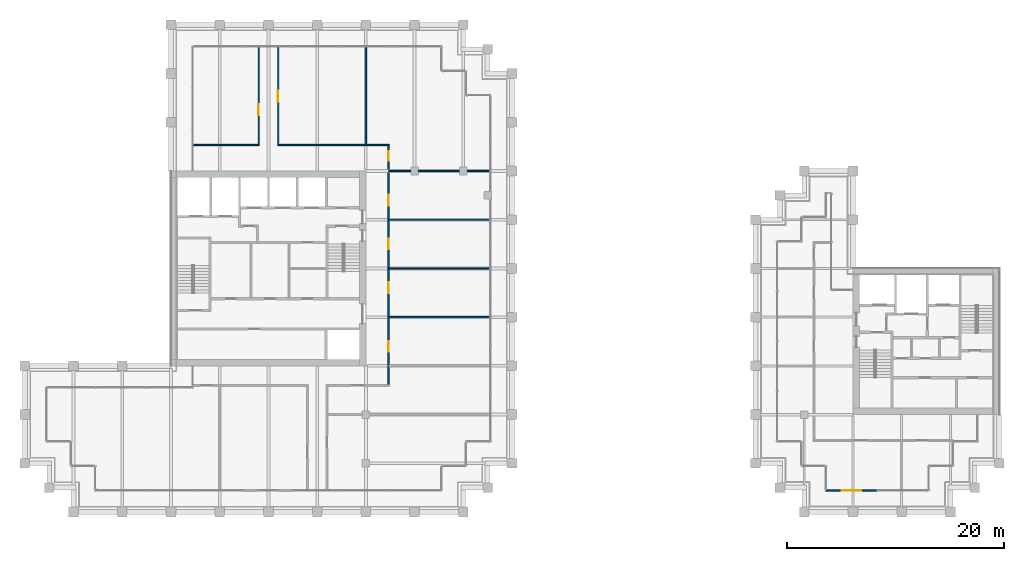
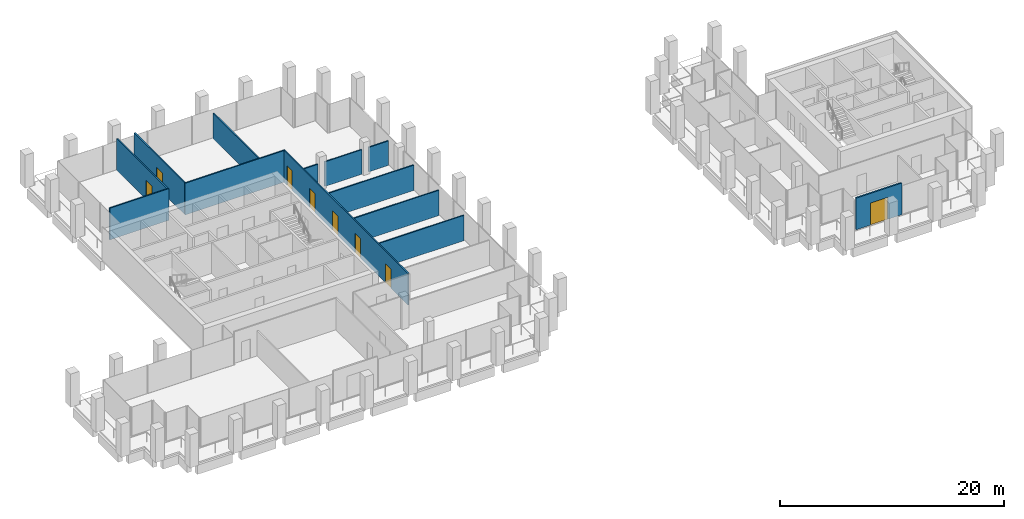
# One storey, part 37 of 40: 13 walls, 8 doors, 8 openings.
"""IFC4 building model written with IfcOpenShell, lengths in metres."""

from ifc_helpers import new_model, si_unit, direction, frame, frame_2d, origin, place, context, subcontext, project, spatial, rectangle, extrude, material, layer, layer_set, type_object, element, fill, save


model = new_model("IFC4")

# Units and contexts
model_context = context("Model", 3, precision=1e-05, world=origin(), true_north=direction((0.0, 1.0)))
body_context = subcontext(model_context, "Body", "Model", "MODEL_VIEW")
ifc_project = project(units=[si_unit("LENGTHUNIT", "METRE"), si_unit("AREAUNIT", "SQUARE_METRE"), si_unit("VOLUMEUNIT", "CUBIC_METRE"), si_unit("PLANEANGLEUNIT", "RADIAN"), si_unit("MASSUNIT", "GRAM", prefix="KILO")], contexts=[model_context])

# Site, building, storey
site_placement = place(None, origin())
site = spatial("IfcSite", under=ifc_project, at=site_placement, CompositionType="ELEMENT")
building_placement = place(site_placement, origin())
building = spatial("IfcBuilding", under=site, at=building_placement, Name="Altepetl Exchange Towers", CompositionType="ELEMENT")
storey_placement = place(building_placement, frame((0.0, 0.0, 147.39990234375)))
storey = spatial("IfcBuildingStorey", under=building, at=storey_placement, Name="L36", CompositionType="ELEMENT", Elevation=147.39990234375)

# Wall, opening, door
ifc_material_1 = material(Name="Aluminium composite cladding", Category="aluminium")
ifc_layer_1 = layer(ifc_material_1, 0.14990234375)
ifc_layer_set_1 = layer_set([ifc_layer_1], Name="Aluminium composite cladding")
wall_type_1 = type_object("IfcWallType", Name="Infill wall 150 aluminium panel", PredefinedType="SOLIDWALL", material=ifc_layer_set_1)
wall_1_placement = place(storey_placement, frame((101.0, 29.0, 0.0)))
wall_1 = element("IfcWall", 1, at=wall_1_placement, inside=storey, type_object=wall_type_1, Name="Loggia door bay wall", PredefinedType="SOLIDWALL", context=body_context, shape_type="SweptSolid", body=[
    extrude(rectangle(XDim=4.71240234375, YDim=0.14990234375, at=frame_2d((2.356201171875, 0.0))), origin(), (0.0, 0.0, 1.0), 3.4501953125),
])
opening_1_placement = place(wall_1_placement, frame((1.456298828125, 0.0, 0.0)))
opening_1 = element("IfcOpeningElement", 2, at=opening_1_placement, cuts=wall_1, Name="Opening L36.B90", PredefinedType="OPENING", context=body_context, shape_type="SweptSolid", body=[
    extrude(rectangle(XDim=1.800048828125, YDim=2.39990234375, at=frame_2d((0.89990234375, 1.199951171875))), frame((0.0, 0.0849609375, 0.0), z_axis=(0.0, -1.0, 0.0), x_axis=(1.0, 0.0, 0.0)), (0.0, 0.0, 1.0), 0.169921875),
])
ifc_material_2 = material(Name="Aluminium 6063-T6 and glass", Category="aluminium")
door_type_1 = type_object("IfcDoorType", Name="Glazed door pair 1800x2400", OperationType="DOUBLE_DOOR_DOUBLE_SWING", PredefinedType="NOTDEFINED", material=ifc_material_2)
door_1_placement = place(opening_1_placement, frame((1.800048828125, 0.0, 0.0), x_axis=(-1.0, 0.0, 0.0)))
door_1 = element("IfcDoor", 3, at=door_1_placement, inside=storey, type_object=door_type_1, Name="Loggia door", OperationType="DOUBLE_DOOR_DOUBLE_SWING", OverallHeight=2.39990234375, OverallWidth=1.800048828125, PredefinedType="NOTDEFINED", context=body_context, shape_type="SweptSolid", body=[
    extrude(rectangle(XDim=1.800048828125, YDim=2.39990234375, at=frame_2d((0.89990234375, 1.199951171875))), frame((0.0, 0.02490234375, 0.0), z_axis=(0.0, -1.0, 0.0), x_axis=(1.0, 0.0, 0.0)), (0.0, 0.0, 1.0), 0.050048828125),
])
fill(opening_1, door_1)

# Walls
ifc_material_3 = material(Name="Timber panels on aluminium track", Category="wood")
ifc_layer_2 = layer(ifc_material_3, 0.125)
ifc_layer_set_2 = layer_set([ifc_layer_2], Name="Timber panels on aluminium track")
wall_type_2 = type_object("IfcWallType", Name="Operable acoustic partition 125", PredefinedType="MOVABLE", material=ifc_layer_set_2)
for number, where, name in (
    (4, (60.60009765625, 45.0, 0.0), "wall:A:L36:P06"),
    (5, (60.60009765625, 49.5, 0.0), "wall:A:L36:P07"),
    (6, (60.60009765625, 54.0, 0.0), "wall:A:L36:P08"),
):
    element("IfcWall", number, at=place(storey_placement, frame(where)), inside=storey, type_object=wall_type_2, Name=name, PredefinedType="MOVABLE", context=body_context, shape_type="SweptSolid", body=[
        extrude(rectangle(XDim=9.2998046875, YDim=0.125, at=frame_2d((4.64990234375, 0.0))), origin(), (0.0, 0.0, 1.0), 2.76611328125),
    ])
ifc_material_4 = material(Name="Gypsum board on steel studs", Category="steel")
ifc_layer_3 = layer(ifc_material_4, 0.125)
ifc_layer_set_3 = layer_set([ifc_layer_3], Name="Gypsum board on steel studs")
wall_type_3 = type_object("IfcWallType", Name="Partition 125 gypsum board on steel studs", PredefinedType="PARTITIONING", material=ifc_layer_set_3)
wall_2_placement = place(storey_placement, frame((60.60009765625, 58.5, 0.0)))
element("IfcWall", 7, at=wall_2_placement, inside=storey, type_object=wall_type_3, Name="wall:A:L36:P09", PredefinedType="PARTITIONING", context=body_context, shape_type="SweptSolid", body=[
    extrude(rectangle(XDim=2.0498046875, YDim=0.125, at=frame_2d((1.02490234375, 0.0))), origin(), (0.0, 0.0, 1.0), 2.676025390625),
])
wall_3_placement = place(storey_placement, frame((63.35009765625, 58.5, 0.0)))
element("IfcWall", 8, at=wall_3_placement, inside=storey, type_object=wall_type_3, Name="wall:A:L36:P10", PredefinedType="PARTITIONING", context=body_context, shape_type="SweptSolid", body=[
    extrude(rectangle(XDim=3.7998046875, YDim=0.125, at=frame_2d((1.89990234375, 0.0))), origin(), (0.0, 0.0, 1.0), 2.676025390625),
])
wall_4_placement = place(storey_placement, frame((67.85009765625, 58.5, 0.0)))
element("IfcWall", 9, at=wall_4_placement, inside=storey, type_object=wall_type_3, Name="wall:A:L36:P11", PredefinedType="PARTITIONING", context=body_context, shape_type="SweptSolid", body=[
    extrude(rectangle(XDim=2.0498046875, YDim=0.125, at=frame_2d((1.02490234375, 0.0))), origin(), (0.0, 0.0, 1.0), 2.676025390625),
])
wall_5_placement = place(storey_placement, frame((42.60009765625, 60.89990234375, 0.0)))
element("IfcWall", 10, at=wall_5_placement, inside=storey, type_object=wall_type_3, Name="wall:A:L36:P12", PredefinedType="PARTITIONING", context=body_context, shape_type="SweptSolid", body=[
    extrude(rectangle(XDim=6.0625, YDim=0.125, at=frame_2d((3.03125, 0.0))), origin(), (0.0, 0.0, 1.0), 3.4501953125),
])
wall_6_placement = place(storey_placement, frame((50.33740234375, 60.89990234375, 0.0)))
element("IfcWall", 11, at=wall_6_placement, inside=storey, type_object=wall_type_3, Name="wall:A:L36:P13", PredefinedType="PARTITIONING", context=body_context, shape_type="SweptSolid", body=[
    extrude(rectangle(XDim=10.3251953125, YDim=0.125, at=frame_2d((5.16259765625, 0.0))), origin(), (0.0, 0.0, 1.0), 3.4501953125),
])

# Wall, opening, door
wall_7_placement = place(storey_placement, frame((48.60009765625, 60.96240234375, 0.0), z_axis=(0.0, 0.0, 1.0), x_axis=(0.0, 1.0, 0.0)))
wall_7 = element("IfcWall", 12, at=wall_7_placement, inside=storey, type_object=wall_type_3, Name="wall:A:L36:P15", PredefinedType="PARTITIONING", context=body_context, shape_type="SweptSolid", body=[
    extrude(rectangle(XDim=8.9375, YDim=0.125, at=frame_2d((4.46875, 0.0))), origin(), (0.0, 0.0, 1.0), 3.4501953125),
])
opening_2_placement = place(wall_7_placement, frame((2.694580078125, 0.0, 0.0)))
opening_2 = element("IfcOpeningElement", 13, at=opening_2_placement, cuts=wall_7, Name="Opening L36.A11", PredefinedType="OPENING", context=body_context, shape_type="SweptSolid", body=[
    extrude(rectangle(XDim=1.0, YDim=2.10009765625, at=frame_2d((0.5, 1.050048828125))), frame((0.0, 0.072509765625, 0.0), z_axis=(0.0, -1.0, 0.0), x_axis=(1.0, 0.0, 0.0)), (0.0, 0.0, 1.0), 0.14501953125),
])
ifc_material_5 = material(Name="Steel and timber fire door", Category="steel")
door_type_2 = type_object("IfcDoorType", Name="Fire door 1000 x 2100 single leaf", OperationType="SINGLE_SWING_LEFT", PredefinedType="DOOR", material=ifc_material_5)
door_2_placement = place(opening_2_placement, origin())
door_2 = element("IfcDoor", 14, at=door_2_placement, inside=storey, type_object=door_type_2, Name="door:A:L36:11", OperationType="SINGLE_SWING_RIGHT", OverallHeight=2.10009765625, OverallWidth=1.0, PredefinedType="DOOR", context=body_context, shape_type="SweptSolid", body=[
    extrude(rectangle(XDim=1.0, YDim=2.10009765625, at=frame_2d((0.5, 1.050048828125))), frame((0.0, 0.02490234375, 0.0), z_axis=(0.0, -1.0, 0.0), x_axis=(1.0, 0.0, 0.0)), (0.0, 0.0, 1.0), 0.050048828125),
])
fill(opening_2, door_2)

wall_8_placement = place(storey_placement, frame((50.39990234375, 60.96240234375, 0.0), z_axis=(0.0, 0.0, 1.0), x_axis=(0.0, 1.0, 0.0)))
wall_8 = element("IfcWall", 15, at=wall_8_placement, inside=storey, type_object=wall_type_3, Name="wall:A:L36:P16", PredefinedType="PARTITIONING", context=body_context, shape_type="SweptSolid", body=[
    extrude(rectangle(XDim=8.9375, YDim=0.125, at=frame_2d((4.46875, 0.0))), origin(), (0.0, 0.0, 1.0), 3.4501953125),
])
opening_3_placement = place(wall_8_placement, frame((3.9375, 0.0, 0.0)))
opening_3 = element("IfcOpeningElement", 16, at=opening_3_placement, cuts=wall_8, Name="Opening L36.A10", PredefinedType="OPENING", context=body_context, shape_type="SweptSolid", body=[
    extrude(rectangle(XDim=1.0, YDim=2.10009765625, at=frame_2d((0.5, 1.050048828125))), frame((0.0, 0.072509765625, 0.0), z_axis=(0.0, -1.0, 0.0), x_axis=(1.0, 0.0, 0.0)), (0.0, 0.0, 1.0), 0.14501953125),
])
door_3_placement = place(opening_3_placement, frame((1.0, 0.0, 0.0), x_axis=(-1.0, 0.0, 0.0)))
door_3 = element("IfcDoor", 17, at=door_3_placement, inside=storey, type_object=door_type_2, Name="door:A:L36:10", OperationType="SINGLE_SWING_RIGHT", OverallHeight=2.10009765625, OverallWidth=1.0, PredefinedType="DOOR", context=body_context, shape_type="SweptSolid", body=[
    extrude(rectangle(XDim=1.0, YDim=2.10009765625, at=frame_2d((0.5, 1.050048828125))), frame((0.0, 0.02490234375, 0.0), z_axis=(0.0, -1.0, 0.0), x_axis=(1.0, 0.0, 0.0)), (0.0, 0.0, 1.0), 0.050048828125),
])
fill(opening_3, door_3)

# Wall
wall_9_placement = place(storey_placement, frame((58.5, 60.89990234375, 0.0), z_axis=(0.0, 0.0, 1.0), x_axis=(0.0, 1.0, 0.0)))
element("IfcWall", 18, at=wall_9_placement, inside=storey, type_object=wall_type_3, Name="wall:A:L36:P19", PredefinedType="PARTITIONING", context=body_context, shape_type="SweptSolid", body=[
    extrude(rectangle(XDim=9.0, YDim=0.125, at=frame_2d((4.5, 0.0))), origin(), (0.0, 0.0, 1.0), 2.76611328125),
])

# Wall, openings, doors
wall_10_placement = place(storey_placement, frame((60.60009765625, 38.762451171875, 0.0), z_axis=(0.0, 0.0, 1.0), x_axis=(0.0, 1.0, 0.0)))
wall_10 = element("IfcWall", 19, at=wall_10_placement, inside=storey, type_object=wall_type_3, Name="wall:A:L36:P20", PredefinedType="PARTITIONING", context=body_context, shape_type="SweptSolid", body=[
    extrude(rectangle(XDim=22.074951171875, YDim=0.125, at=frame_2d((11.03759765625, 0.0))), origin(), (0.0, 0.0, 1.0), 3.4501953125),
])
opening_4_placement = place(wall_10_placement, frame((3.032470703125, 0.0, 0.0)))
opening_4 = element("IfcOpeningElement", 20, at=opening_4_placement, cuts=wall_10, Name="Opening L36.A05", PredefinedType="OPENING", context=body_context, shape_type="SweptSolid", body=[
    extrude(rectangle(XDim=1.0, YDim=2.10009765625, at=frame_2d((0.5, 1.050048828125))), frame((0.0, 0.072509765625, 0.0), z_axis=(0.0, -1.0, 0.0), x_axis=(1.0, 0.0, 0.0)), (0.0, 0.0, 1.0), 0.14501953125),
])
opening_5_placement = place(wall_10_placement, frame((8.4423828125, 0.0, 0.0)))
opening_5 = element("IfcOpeningElement", 21, at=opening_5_placement, cuts=wall_10, Name="Opening L36.A06", PredefinedType="OPENING", context=body_context, shape_type="SweptSolid", body=[
    extrude(rectangle(XDim=1.0, YDim=2.10009765625, at=frame_2d((0.5, 1.050048828125))), frame((0.0, 0.072509765625, 0.0), z_axis=(0.0, -1.0, 0.0), x_axis=(1.0, 0.0, 0.0)), (0.0, 0.0, 1.0), 0.14501953125),
])
opening_6_placement = place(wall_10_placement, frame((12.487548828125, 0.0, 0.0)))
opening_6 = element("IfcOpeningElement", 22, at=opening_6_placement, cuts=wall_10, Name="Opening L36.A07", PredefinedType="OPENING", context=body_context, shape_type="SweptSolid", body=[
    extrude(rectangle(XDim=1.0, YDim=2.10009765625, at=frame_2d((0.5, 1.050048828125))), frame((0.0, 0.072509765625, 0.0), z_axis=(0.0, -1.0, 0.0), x_axis=(1.0, 0.0, 0.0)), (0.0, 0.0, 1.0), 0.14501953125),
])
opening_7_placement = place(wall_10_placement, frame((16.532470703125, 0.0, 0.0)))
opening_7 = element("IfcOpeningElement", 23, at=opening_7_placement, cuts=wall_10, Name="Opening L36.A08", PredefinedType="OPENING", context=body_context, shape_type="SweptSolid", body=[
    extrude(rectangle(XDim=1.0, YDim=2.10009765625, at=frame_2d((0.5, 1.050048828125))), frame((0.0, 0.072509765625, 0.0), z_axis=(0.0, -1.0, 0.0), x_axis=(1.0, 0.0, 0.0)), (0.0, 0.0, 1.0), 0.14501953125),
])
opening_8_placement = place(wall_10_placement, frame((20.66259765625, 0.0, 0.0)))
opening_8 = element("IfcOpeningElement", 24, at=opening_8_placement, cuts=wall_10, Name="Opening L36.A09", PredefinedType="OPENING", context=body_context, shape_type="SweptSolid", body=[
    extrude(rectangle(XDim=0.89990234375, YDim=2.10009765625, at=frame_2d((0.449951171875, 1.050048828125))), frame((0.0, 0.072509765625, 0.0), z_axis=(0.0, -1.0, 0.0), x_axis=(1.0, 0.0, 0.0)), (0.0, 0.0, 1.0), 0.14501953125),
])
door_4_placement = place(opening_4_placement, frame((1.0, 0.0, 0.0), x_axis=(-1.0, 0.0, 0.0)))
door_4 = element("IfcDoor", 25, at=door_4_placement, inside=storey, type_object=door_type_2, Name="door:A:L36:05", OperationType="SINGLE_SWING_LEFT", OverallHeight=2.10009765625, OverallWidth=1.0, PredefinedType="DOOR", context=body_context, shape_type="SweptSolid", body=[
    extrude(rectangle(XDim=1.0, YDim=2.10009765625, at=frame_2d((0.5, 1.050048828125))), frame((0.0, 0.02490234375, 0.0), z_axis=(0.0, -1.0, 0.0), x_axis=(1.0, 0.0, 0.0)), (0.0, 0.0, 1.0), 0.050048828125),
])
fill(opening_4, door_4)
door_5_placement = place(opening_5_placement, frame((1.0, 0.0, 0.0), x_axis=(-1.0, 0.0, 0.0)))
door_5 = element("IfcDoor", 26, at=door_5_placement, inside=storey, type_object=door_type_2, Name="door:A:L36:06", OperationType="SINGLE_SWING_RIGHT", OverallHeight=2.10009765625, OverallWidth=1.0, PredefinedType="DOOR", context=body_context, shape_type="SweptSolid", body=[
    extrude(rectangle(XDim=1.0, YDim=2.10009765625, at=frame_2d((0.5, 1.050048828125))), frame((0.0, 0.02490234375, 0.0), z_axis=(0.0, -1.0, 0.0), x_axis=(1.0, 0.0, 0.0)), (0.0, 0.0, 1.0), 0.050048828125),
])
fill(opening_5, door_5)
door_6_placement = place(opening_6_placement, frame((1.0, 0.0, 0.0), x_axis=(-1.0, 0.0, 0.0)))
door_6 = element("IfcDoor", 27, at=door_6_placement, inside=storey, type_object=door_type_2, Name="door:A:L36:07", OperationType="SINGLE_SWING_LEFT", OverallHeight=2.10009765625, OverallWidth=1.0, PredefinedType="DOOR", context=body_context, shape_type="SweptSolid", body=[
    extrude(rectangle(XDim=1.0, YDim=2.10009765625, at=frame_2d((0.5, 1.050048828125))), frame((0.0, 0.02490234375, 0.0), z_axis=(0.0, -1.0, 0.0), x_axis=(1.0, 0.0, 0.0)), (0.0, 0.0, 1.0), 0.050048828125),
])
fill(opening_6, door_6)
door_7_placement = place(opening_7_placement, frame((1.0, 0.0, 0.0), x_axis=(-1.0, 0.0, 0.0)))
door_7 = element("IfcDoor", 28, at=door_7_placement, inside=storey, type_object=door_type_2, Name="door:A:L36:08", OperationType="SINGLE_SWING_RIGHT", OverallHeight=2.10009765625, OverallWidth=1.0, PredefinedType="DOOR", context=body_context, shape_type="SweptSolid", body=[
    extrude(rectangle(XDim=1.0, YDim=2.10009765625, at=frame_2d((0.5, 1.050048828125))), frame((0.0, 0.02490234375, 0.0), z_axis=(0.0, -1.0, 0.0), x_axis=(1.0, 0.0, 0.0)), (0.0, 0.0, 1.0), 0.050048828125),
])
fill(opening_7, door_7)
door_type_3 = type_object("IfcDoorType", Name="Fire door 900 x 2100 single leaf", OperationType="SINGLE_SWING_LEFT", PredefinedType="DOOR", material=ifc_material_5)
door_8_placement = place(opening_8_placement, frame((0.89990234375, 0.0, 0.0), x_axis=(-1.0, 0.0, 0.0)))
door_8 = element("IfcDoor", 29, at=door_8_placement, inside=storey, type_object=door_type_3, Name="door:A:L36:09", OperationType="SINGLE_SWING_LEFT", OverallHeight=2.10009765625, OverallWidth=0.89990234375, PredefinedType="DOOR", context=body_context, shape_type="SweptSolid", body=[
    extrude(rectangle(XDim=0.89990234375, YDim=2.10009765625, at=frame_2d((0.449951171875, 1.050048828125))), frame((0.0, 0.02490234375, 0.0), z_axis=(0.0, -1.0, 0.0), x_axis=(1.0, 0.0, 0.0)), (0.0, 0.0, 1.0), 0.050048828125),
])
fill(opening_8, door_8)

save(model, "model.ifc")
